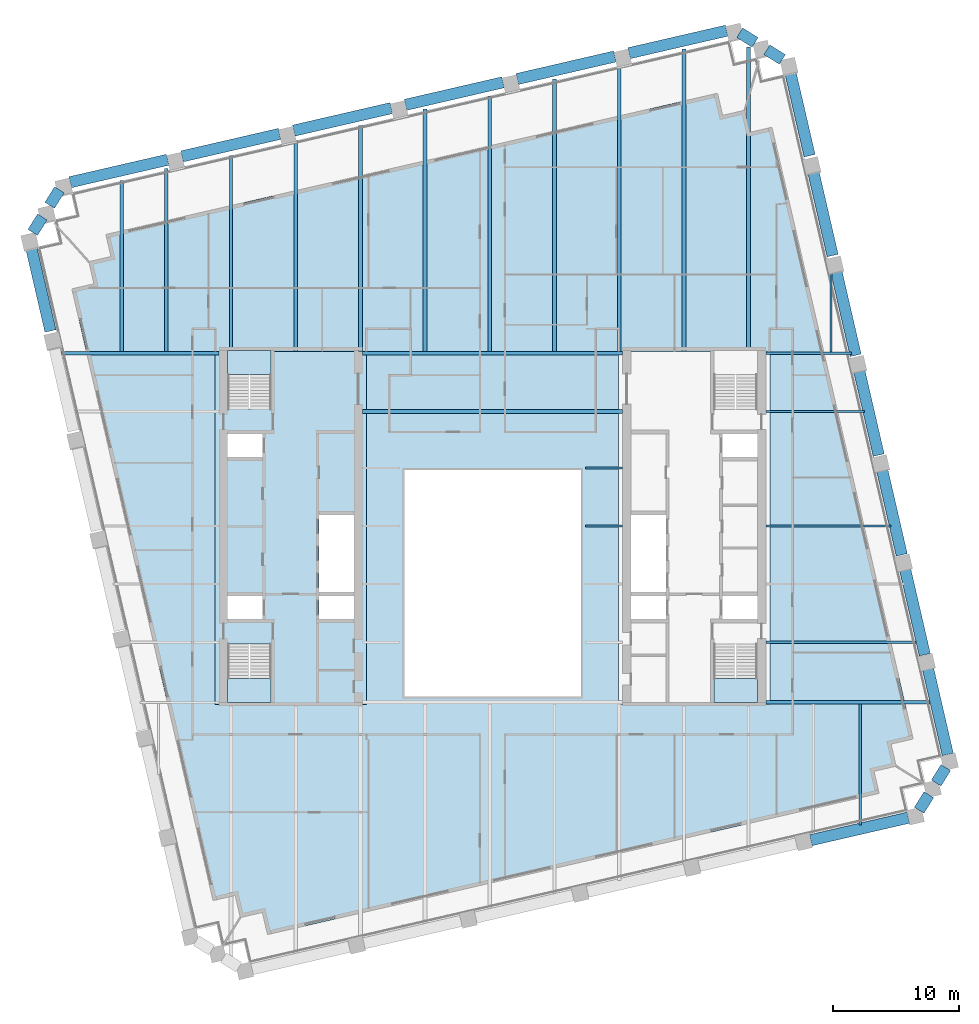
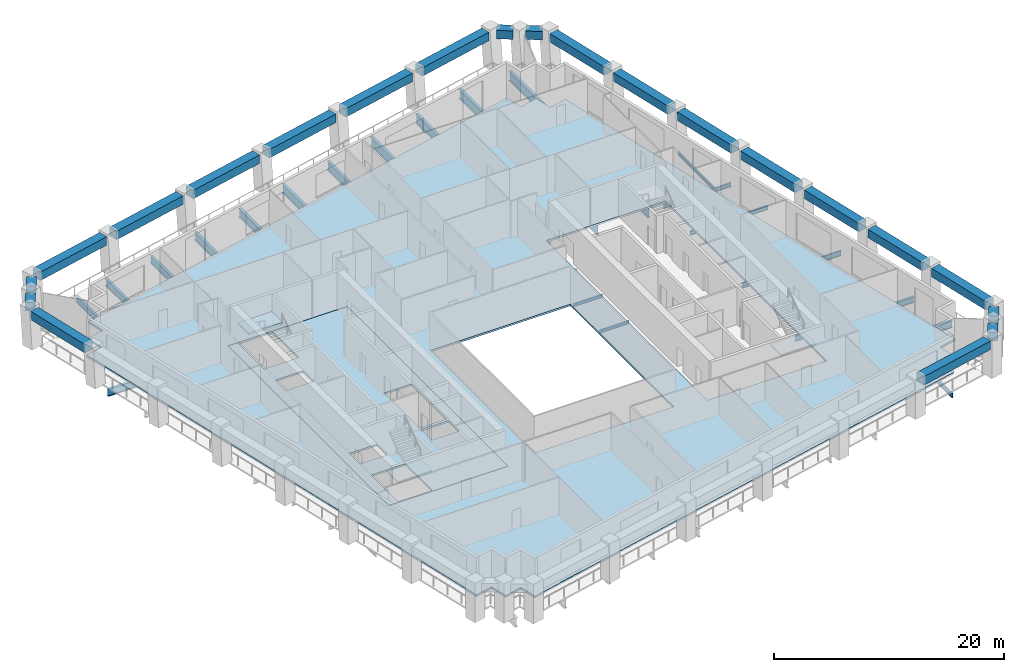
# One storey, part 2 of 10: 44 beams, 5 slabs, 3 elements without a shape of their own.
"""IFC4 building model written with IfcOpenShell, lengths in metres."""

from ifc_helpers import new_model, si_unit, direction, frame, origin, origin_2d, place, context, subcontext, project, spatial, polyline, rectangle, i_section, outline, extrude, material, layer, layer_set, material_profile, profile_set, type_object, element, aggregate, save


model = new_model("IFC4")

# Units and contexts
model_context = context("Model", 3, precision=1e-05, world=origin(), true_north=direction((0.0, 1.0)))
body_context = subcontext(model_context, "Body", "Model", "MODEL_VIEW")
ifc_project = project(units=[si_unit("LENGTHUNIT", "METRE"), si_unit("AREAUNIT", "SQUARE_METRE"), si_unit("VOLUMEUNIT", "CUBIC_METRE"), si_unit("PLANEANGLEUNIT", "RADIAN"), si_unit("MASSUNIT", "GRAM", prefix="KILO")], contexts=[model_context])

# Site, building, storey
site_placement = place(None, origin())
site = spatial("IfcSite", under=ifc_project, at=site_placement, CompositionType="ELEMENT")
building_placement = place(site_placement, origin())
building = spatial("IfcBuilding", under=site, at=building_placement, Name="Ogive Exchange Tower", CompositionType="ELEMENT")
storey_placement = place(building_placement, frame((0.0, 0.0, 188.39990234375)))
storey = spatial("IfcBuildingStorey", under=building, at=storey_placement, Name="L41", CompositionType="ELEMENT", Elevation=188.39990234375)

# Beams
ifc_material_1 = material(Name="Steel ASTM A992 Gr50", Category="steel")
ifc_material_profile_1 = material_profile(ifc_material_1, i_section(OverallWidth=0.300048828125, OverallDepth=0.969970703125, WebThickness=0.01611328125, FlangeThickness=0.02099609375, at=origin_2d()), Name="W1000x222")
ifc_profile_set_1 = profile_set([ifc_material_profile_1], Name="Steel ASTM A992 Gr50")
beam_type_1 = type_object("IfcBeamType", Name="Floor beam W1000x222", PredefinedType="JOIST", material=ifc_profile_set_1)
beam_1_placement = place(storey_placement, frame((-0.215576171875, 25.39501953125, -0.684814453125), z_axis=(0.0, 1.0, 0.0), x_axis=(-1.0, 0.0, 0.0)))
element("IfcBeam", 1, at=beam_1_placement, inside=storey, type_object=beam_type_1, Name="Floor beam", PredefinedType="JOIST", context=body_context, shape_type="SweptSolid", body=[
    extrude(i_section(OverallWidth=0.300048828125, OverallDepth=0.969970703125, WebThickness=0.01611328125, FlangeThickness=0.02099609375, at=origin_2d()), origin(), (0.0, 0.0, 1.0), 20.2724609375),
])
ifc_material_profile_2 = material_profile(ifc_material_1, i_section(OverallWidth=0.300048828125, OverallDepth=0.97998046875, WebThickness=0.0166015625, FlangeThickness=0.026123046875, at=origin_2d()), Name="W1000x249")
ifc_profile_set_2 = profile_set([ifc_material_profile_2], Name="Steel ASTM A992 Gr50")
beam_type_2 = type_object("IfcBeamType", Name="Floor beam W1000x249", PredefinedType="JOIST", material=ifc_profile_set_2)
beam_2_placement = place(storey_placement, frame((-10.320068359375, 20.62255859375, -0.68994140625), z_axis=(1.0, 0.0, 0.0), x_axis=(0.0, 1.0, 0.0)))
element("IfcBeam", 2, at=beam_2_placement, inside=storey, type_object=beam_type_2, Name="Floor beam", PredefinedType="JOIST", context=body_context, shape_type="SweptSolid", body=[
    extrude(i_section(OverallWidth=0.300048828125, OverallDepth=0.97998046875, WebThickness=0.0166015625, FlangeThickness=0.026123046875, at=origin_2d()), origin(), (0.0, 0.0, 1.0), 20.64013671875),
])
beam_3_placement = place(storey_placement, frame((4.91650390625, 25.39501953125, -0.68994140625), z_axis=(0.0, 1.0, 0.0), x_axis=(-1.0, 0.0, 0.0)))
element("IfcBeam", 3, at=beam_3_placement, inside=storey, type_object=beam_type_2, Name="Floor beam", PredefinedType="JOIST", context=body_context, shape_type="SweptSolid", body=[
    extrude(i_section(OverallWidth=0.300048828125, OverallDepth=0.97998046875, WebThickness=0.0166015625, FlangeThickness=0.026123046875, at=origin_2d()), origin(), (0.0, 0.0, 1.0), 21.607421875),
])
beam_4_placement = place(storey_placement, frame((10.048828125, 25.39501953125, -0.68994140625), z_axis=(0.0, 1.0, 0.0), x_axis=(-1.0, 0.0, 0.0)))
element("IfcBeam", 4, at=beam_4_placement, inside=storey, type_object=beam_type_2, Name="Floor beam", PredefinedType="JOIST", context=body_context, shape_type="SweptSolid", body=[
    extrude(i_section(OverallWidth=0.300048828125, OverallDepth=0.97998046875, WebThickness=0.0166015625, FlangeThickness=0.026123046875, at=origin_2d()), origin(), (0.0, 0.0, 1.0), 22.642333984375),
])
beam_5_placement = place(storey_placement, frame((15.180908203125, 25.39990234375, -0.68994140625), z_axis=(0.0, 1.0, 0.0), x_axis=(-1.0, 0.0, 0.0)))
element("IfcBeam", 5, at=beam_5_placement, inside=storey, type_object=beam_type_2, Name="Floor beam", PredefinedType="JOIST", context=body_context, shape_type="SweptSolid", body=[
    extrude(i_section(OverallWidth=0.300048828125, OverallDepth=0.97998046875, WebThickness=0.0166015625, FlangeThickness=0.026123046875, at=origin_2d()), origin(), (0.0, 0.0, 1.0), 23.97216796875),
])
beam_6_placement = place(storey_placement, frame((20.31298828125, 25.39990234375, -0.68994140625), z_axis=(0.0, 1.0, 0.0), x_axis=(-1.0, 0.0, 0.0)))
element("IfcBeam", 6, at=beam_6_placement, inside=storey, type_object=beam_type_2, Name="Floor beam", PredefinedType="JOIST", context=body_context, shape_type="SweptSolid", body=[
    extrude(i_section(OverallWidth=0.300048828125, OverallDepth=0.97998046875, WebThickness=0.0166015625, FlangeThickness=0.026123046875, at=origin_2d()), origin(), (0.0, 0.0, 1.0), 24.1513671875),
])
ifc_material_profile_3 = material_profile(ifc_material_1, i_section(OverallWidth=0.1650390625, OverallDepth=0.31005859375, WebThickness=0.005859375, FlangeThickness=0.009765625, at=origin_2d()), Name="W310x38.7")
ifc_profile_set_3 = profile_set([ifc_material_profile_3], Name="Steel ASTM A992 Gr50")
beam_type_3 = type_object("IfcBeamType", Name="Floor beam W310x38.7", PredefinedType="JOIST", material=ifc_profile_set_3)
beam_7_placement = place(storey_placement, frame((7.3701171875, 11.543701171875, -0.35498046875), z_axis=(1.0, 0.0, 0.0), x_axis=(0.0, 1.0, 0.0)))
element("IfcBeam", 7, at=beam_7_placement, inside=storey, type_object=beam_type_3, Name="Floor beam", PredefinedType="JOIST", context=body_context, shape_type="SweptSolid", body=[
    extrude(i_section(OverallWidth=0.1650390625, OverallDepth=0.31005859375, WebThickness=0.005859375, FlangeThickness=0.009765625, at=origin_2d()), origin(), (0.0, 0.0, 1.0), 2.949951171875),
])
beam_8_placement = place(storey_placement, frame((26.84521484375, 25.333984375, -0.35498046875), z_axis=(0.0, 1.0, 0.0), x_axis=(-1.0, 0.0, 0.0)))
element("IfcBeam", 8, at=beam_8_placement, inside=storey, type_object=beam_type_3, Name="Floor beam", PredefinedType="JOIST", context=body_context, shape_type="SweptSolid", body=[
    extrude(i_section(OverallWidth=0.1650390625, OverallDepth=0.31005859375, WebThickness=0.005859375, FlangeThickness=0.009765625, at=origin_2d()), origin(), (0.0, 0.0, 1.0), 6.24951171875),
])
ifc_material_profile_4 = material_profile(ifc_material_1, i_section(OverallWidth=0.177978515625, OverallDepth=0.406005859375, WebThickness=0.0078125, FlangeThickness=0.0126953125, at=origin_2d()), Name="W410x60")
ifc_profile_set_4 = profile_set([ifc_material_profile_4], Name="Steel ASTM A992 Gr50")
beam_type_4 = type_object("IfcBeamType", Name="Floor beam W410x60", PredefinedType="JOIST", material=ifc_profile_set_4)
beam_9_placement = place(storey_placement, frame((21.679931640625, 20.62255859375, -0.40283203125), z_axis=(1.0, 0.0, 0.0), x_axis=(0.0, 1.0, 0.0)))
element("IfcBeam", 9, at=beam_9_placement, inside=storey, type_object=beam_type_4, Name="Floor beam", PredefinedType="JOIST", context=body_context, shape_type="SweptSolid", body=[
    extrude(i_section(OverallWidth=0.177978515625, OverallDepth=0.406005859375, WebThickness=0.0078125, FlangeThickness=0.0126953125, at=origin_2d()), origin(), (0.0, 0.0, 1.0), 7.845703125),
])
ifc_material_profile_5 = material_profile(ifc_material_1, i_section(OverallWidth=0.19091796875, OverallDepth=0.45703125, WebThickness=0.009033203125, FlangeThickness=0.014404296875, at=origin_2d()), Name="W460x74")
ifc_profile_set_5 = profile_set([ifc_material_profile_5], Name="Steel ASTM A992 Gr50")
beam_type_5 = type_object("IfcBeamType", Name="Floor beam W460x74", PredefinedType="JOIST", material=ifc_profile_set_5)
beam_10_placement = place(storey_placement, frame((29.177490234375, -12.164794921875, -0.428466796875), z_axis=(0.0, 1.0, 0.0), x_axis=(-1.0, 0.0, 0.0)))
element("IfcBeam", 10, at=beam_10_placement, inside=storey, type_object=beam_type_5, Name="Floor beam", PredefinedType="JOIST", context=body_context, shape_type="SweptSolid", body=[
    extrude(i_section(OverallWidth=0.19091796875, OverallDepth=0.45703125, WebThickness=0.009033203125, FlangeThickness=0.014404296875, at=origin_2d()), origin(), (0.0, 0.0, 1.0), 9.586181640625),
])
ifc_material_profile_6 = material_profile(ifc_material_1, i_section(OverallWidth=0.1669921875, OverallDepth=0.535888671875, WebThickness=0.01025390625, FlangeThickness=0.0166015625, at=origin_2d()), Name="W530x85")
ifc_profile_set_6 = profile_set([ifc_material_profile_6], Name="Steel ASTM A992 Gr50")
beam_type_6 = type_object("IfcBeamType", Name="Floor beam W530x85", PredefinedType="JOIST", material=ifc_profile_set_6)
beam_11_placement = place(storey_placement, frame((21.679931640625, 11.543701171875, -0.468017578125), z_axis=(1.0, 0.0, 0.0), x_axis=(0.0, 1.0, 0.0)))
element("IfcBeam", 11, at=beam_11_placement, inside=storey, type_object=beam_type_6, Name="Floor beam", PredefinedType="JOIST", context=body_context, shape_type="SweptSolid", body=[
    extrude(i_section(OverallWidth=0.1669921875, OverallDepth=0.535888671875, WebThickness=0.01025390625, FlangeThickness=0.0166015625, at=origin_2d()), origin(), (0.0, 0.0, 1.0), 9.941650390625),
])
ifc_material_profile_7 = material_profile(ifc_material_1, i_section(OverallWidth=0.22802734375, OverallDepth=0.60205078125, WebThickness=0.010498046875, FlangeThickness=0.014892578125, at=origin_2d()), Name="W610x101")
ifc_profile_set_7 = profile_set([ifc_material_profile_7], Name="Steel ASTM A992 Gr50")
beam_type_7 = type_object("IfcBeamType", Name="Floor beam W610x101", PredefinedType="JOIST", material=ifc_profile_set_7)
beam_12_placement = place(storey_placement, frame((21.679931640625, 2.3212890625, -0.5009765625), z_axis=(1.0, 0.0, 0.0), x_axis=(0.0, 1.0, 0.0)))
element("IfcBeam", 12, at=beam_12_placement, inside=storey, type_object=beam_type_7, Name="Floor beam", PredefinedType="JOIST", context=body_context, shape_type="SweptSolid", body=[
    extrude(i_section(OverallWidth=0.22802734375, OverallDepth=0.60205078125, WebThickness=0.010498046875, FlangeThickness=0.014892578125, at=origin_2d()), origin(), (0.0, 0.0, 1.0), 11.9208984375),
])
ifc_material_profile_8 = material_profile(ifc_material_1, i_section(OverallWidth=0.25390625, OverallDepth=0.677978515625, WebThickness=0.01171875, FlangeThickness=0.016357421875, at=origin_2d()), Name="W690x125")
ifc_profile_set_8 = profile_set([ifc_material_profile_8], Name="Steel ASTM A992 Gr50")
beam_type_8 = type_object("IfcBeamType", Name="Floor beam W690x125", PredefinedType="JOIST", material=ifc_profile_set_8)
beam_13_placement = place(storey_placement, frame((-29.408447265625, 25.37841796875, -0.538818359375), z_axis=(0.0, 1.0, 0.0), x_axis=(-1.0, 0.0, 0.0)))
element("IfcBeam", 13, at=beam_13_placement, inside=storey, type_object=beam_type_8, Name="Floor beam", PredefinedType="JOIST", context=body_context, shape_type="SweptSolid", body=[
    extrude(i_section(OverallWidth=0.25390625, OverallDepth=0.677978515625, WebThickness=0.01171875, FlangeThickness=0.016357421875, at=origin_2d()), origin(), (0.0, 0.0, 1.0), 13.549560546875),
])
ifc_material_profile_9 = material_profile(ifc_material_1, i_section(OverallWidth=0.26708984375, OverallDepth=0.75390625, WebThickness=0.01318359375, FlangeThickness=0.01708984375, at=origin_2d()), Name="W760x147")
ifc_profile_set_9 = profile_set([ifc_material_profile_9], Name="Steel ASTM A992 Gr50")
beam_type_9 = type_object("IfcBeamType", Name="Floor beam W760x147", PredefinedType="JOIST", material=ifc_profile_set_9)
beam_14_placement = place(storey_placement, frame((-25.876220703125, 25.37841796875, -0.576904296875), z_axis=(0.0, 1.0, 0.0), x_axis=(-1.0, 0.0, 0.0)))
element("IfcBeam", 14, at=beam_14_placement, inside=storey, type_object=beam_type_9, Name="Floor beam", PredefinedType="JOIST", context=body_context, shape_type="SweptSolid", body=[
    extrude(i_section(OverallWidth=0.26708984375, OverallDepth=0.75390625, WebThickness=0.01318359375, FlangeThickness=0.01708984375, at=origin_2d()), origin(), (0.0, 0.0, 1.0), 14.514892578125),
])
beam_15_placement = place(storey_placement, frame((-20.744140625, 25.39990234375, -0.576904296875), z_axis=(0.0, 1.0, 0.0), x_axis=(-1.0, 0.0, 0.0)))
element("IfcBeam", 15, at=beam_15_placement, inside=storey, type_object=beam_type_9, Name="Floor beam", PredefinedType="JOIST", context=body_context, shape_type="SweptSolid", body=[
    extrude(i_section(OverallWidth=0.26708984375, OverallDepth=0.75390625, WebThickness=0.01318359375, FlangeThickness=0.01708984375, at=origin_2d()), origin(), (0.0, 0.0, 1.0), 15.5283203125),
])
ifc_material_profile_10 = material_profile(ifc_material_1, i_section(OverallWidth=0.2919921875, OverallDepth=0.8359375, WebThickness=0.013916015625, FlangeThickness=0.018798828125, at=origin_2d()), Name="W840x176")
ifc_profile_set_10 = profile_set([ifc_material_profile_10], Name="Steel ASTM A992 Gr50")
beam_type_10 = type_object("IfcBeamType", Name="Floor beam W840x176", PredefinedType="JOIST", material=ifc_profile_set_10)
beam_16_placement = place(storey_placement, frame((-15.61181640625, 25.39990234375, -0.617919921875), z_axis=(0.0, 1.0, 0.0), x_axis=(-1.0, 0.0, 0.0)))
element("IfcBeam", 16, at=beam_16_placement, inside=storey, type_object=beam_type_10, Name="Floor beam", PredefinedType="JOIST", context=body_context, shape_type="SweptSolid", body=[
    extrude(i_section(OverallWidth=0.2919921875, OverallDepth=0.8359375, WebThickness=0.013916015625, FlangeThickness=0.018798828125, at=origin_2d()), origin(), (0.0, 0.0, 1.0), 16.713134765625),
])
ifc_material_profile_11 = material_profile(ifc_material_1, i_section(OverallWidth=0.304931640625, OverallDepth=0.904052734375, WebThickness=0.01513671875, FlangeThickness=0.02001953125, at=origin_2d()), Name="W920x201")
ifc_profile_set_11 = profile_set([ifc_material_profile_11], Name="Steel ASTM A992 Gr50")
beam_type_11 = type_object("IfcBeamType", Name="Floor beam W920x201", PredefinedType="JOIST", material=ifc_profile_set_11)
beam_17_placement = place(storey_placement, frame((-10.479736328125, 25.39990234375, -0.65185546875), z_axis=(0.0, 1.0, 0.0), x_axis=(-1.0, 0.0, 0.0)))
element("IfcBeam", 17, at=beam_17_placement, inside=storey, type_object=beam_type_11, Name="Floor beam", PredefinedType="JOIST", context=body_context, shape_type="SweptSolid", body=[
    extrude(i_section(OverallWidth=0.304931640625, OverallDepth=0.904052734375, WebThickness=0.01513671875, FlangeThickness=0.02001953125, at=origin_2d()), origin(), (0.0, 0.0, 1.0), 17.89794921875),
])
ifc_material_profile_12 = material_profile(ifc_material_1, i_section(OverallWidth=0.304931640625, OverallDepth=0.9189453125, WebThickness=0.017333984375, FlangeThickness=0.02783203125, at=origin_2d()), Name="W920x253")
ifc_profile_set_12 = profile_set([ifc_material_profile_12], Name="Steel ASTM A992 Gr50")
beam_type_12 = type_object("IfcBeamType", Name="Floor beam W920x253", PredefinedType="JOIST", material=ifc_profile_set_12)
beam_18_placement = place(storey_placement, frame((-5.34765625, 25.39501953125, -0.659423828125), z_axis=(0.0, 1.0, 0.0), x_axis=(-1.0, 0.0, 0.0)))
element("IfcBeam", 18, at=beam_18_placement, inside=storey, type_object=beam_type_12, Name="Floor beam", PredefinedType="JOIST", context=body_context, shape_type="SweptSolid", body=[
    extrude(i_section(OverallWidth=0.304931640625, OverallDepth=0.9189453125, WebThickness=0.017333984375, FlangeThickness=0.02783203125, at=origin_2d()), origin(), (0.0, 0.0, 1.0), 19.23779296875),
])
ifc_material_profile_13 = material_profile(ifc_material_1, i_section(OverallWidth=0.300048828125, OverallDepth=0.97998046875, WebThickness=0.0166015625, FlangeThickness=0.026123046875, at=origin_2d()), Name="W1000x249")
ifc_profile_set_13 = profile_set([ifc_material_profile_13], Name="Steel ASTM A992 Gr50")
beam_type_13 = type_object("IfcBeamType", Name="Girder W1000x249", PredefinedType="BEAM", material=ifc_profile_set_13)
beam_19_placement = place(storey_placement, frame((-10.320068359375, 25.2451171875, -0.68994140625), z_axis=(1.0, 0.0, 0.0), x_axis=(0.0, 1.0, 0.0)))
element("IfcBeam", 19, at=beam_19_placement, inside=storey, type_object=beam_type_13, Name="Header girder", PredefinedType="BEAM", context=body_context, shape_type="SweptSolid", body=[
    extrude(i_section(OverallWidth=0.300048828125, OverallDepth=0.97998046875, WebThickness=0.0166015625, FlangeThickness=0.026123046875, at=origin_2d()), origin(), (0.0, 0.0, 1.0), 20.64013671875),
])
ifc_material_profile_14 = material_profile(ifc_material_1, i_section(OverallWidth=0.1650390625, OverallDepth=0.31005859375, WebThickness=0.005859375, FlangeThickness=0.009765625, at=origin_2d()), Name="W310x38.7")
ifc_profile_set_14 = profile_set([ifc_material_profile_14], Name="Steel ASTM A992 Gr50")
beam_type_14 = type_object("IfcBeamType", Name="Girder W310x38.7", PredefinedType="BEAM", material=ifc_profile_set_14)
beam_20_placement = place(storey_placement, frame((7.3701171875, 16.155029296875, -0.35498046875), z_axis=(1.0, 0.0, 0.0), x_axis=(0.0, 1.0, 0.0)))
element("IfcBeam", 20, at=beam_20_placement, inside=storey, type_object=beam_type_14, Name="Trimmer girder", PredefinedType="BEAM", context=body_context, shape_type="SweptSolid", body=[
    extrude(i_section(OverallWidth=0.1650390625, OverallDepth=0.31005859375, WebThickness=0.005859375, FlangeThickness=0.009765625, at=origin_2d()), origin(), (0.0, 0.0, 1.0), 2.949951171875),
])
ifc_material_profile_15 = material_profile(ifc_material_1, i_section(OverallWidth=0.177978515625, OverallDepth=0.406005859375, WebThickness=0.0078125, FlangeThickness=0.0126953125, at=origin_2d()), Name="W410x60")
ifc_profile_set_15 = profile_set([ifc_material_profile_15], Name="Steel ASTM A992 Gr50")
beam_type_15 = type_object("IfcBeamType", Name="Girder W410x60", PredefinedType="BEAM", material=ifc_profile_set_15)
beam_21_placement = place(storey_placement, frame((21.679931640625, 25.2451171875, -0.40283203125), z_axis=(1.0, 0.0, 0.0), x_axis=(0.0, 1.0, 0.0)))
element("IfcBeam", 21, at=beam_21_placement, inside=storey, type_object=beam_type_15, Name="Header girder", PredefinedType="BEAM", context=body_context, shape_type="SweptSolid", body=[
    extrude(i_section(OverallWidth=0.177978515625, OverallDepth=0.406005859375, WebThickness=0.0078125, FlangeThickness=0.0126953125, at=origin_2d()), origin(), (0.0, 0.0, 1.0), 6.778564453125),
])
ifc_material_profile_16 = material_profile(ifc_material_1, i_section(OverallWidth=0.26708984375, OverallDepth=0.75390625, WebThickness=0.01318359375, FlangeThickness=0.01708984375, at=origin_2d()), Name="W760x147")
ifc_profile_set_16 = profile_set([ifc_material_profile_16], Name="Steel ASTM A992 Gr50")
beam_type_16 = type_object("IfcBeamType", Name="Girder W760x147", PredefinedType="BEAM", material=ifc_profile_set_16)
beam_22_placement = place(storey_placement, frame((21.679931640625, -2.445068359375, -0.576904296875), z_axis=(1.0, 0.0, 0.0), x_axis=(0.0, 1.0, 0.0)))
element("IfcBeam", 22, at=beam_22_placement, inside=storey, type_object=beam_type_16, Name="Header girder", PredefinedType="BEAM", context=body_context, shape_type="SweptSolid", body=[
    extrude(i_section(OverallWidth=0.26708984375, OverallDepth=0.75390625, WebThickness=0.01318359375, FlangeThickness=0.01708984375, at=origin_2d()), origin(), (0.0, 0.0, 1.0), 13.021484375),
])
beam_23_placement = place(storey_placement, frame((-34.193359375, 25.2451171875, -0.576904296875), z_axis=(1.0, 0.0, 0.0), x_axis=(0.0, 1.0, 0.0)))
element("IfcBeam", 23, at=beam_23_placement, inside=storey, type_object=beam_type_16, Name="Header girder", PredefinedType="BEAM", context=body_context, shape_type="SweptSolid", body=[
    extrude(i_section(OverallWidth=0.26708984375, OverallDepth=0.75390625, WebThickness=0.01318359375, FlangeThickness=0.01708984375, at=origin_2d()), origin(), (0.0, 0.0, 1.0), 12.513427734375),
])
ifc_material_2 = material(Name="Precast concrete C70/85 (limestone faced)", Category="masonry")
ifc_material_profile_17 = material_profile(ifc_material_2, rectangle(XDim=0.89990234375, YDim=0.89990234375, at=origin_2d()), Name="900 x 900")
ifc_profile_set_17 = profile_set([ifc_material_profile_17], Name="Precast concrete C70/85 (limestone faced)")
beam_type_17 = type_object("IfcBeamType", Name="Precast spandrel 900 x 900 C70/85", PredefinedType="SPANDREL", material=ifc_profile_set_17)
beam_24_placement = place(storey_placement, frame((25.249755859375, -13.383544921875, 3.5), z_axis=(0.974368388194, 0.224958316335, 0.0), x_axis=(-0.224958316335, 0.974368388194, 0.0)))
element("IfcBeam", 24, at=beam_24_placement, inside=storey, type_object=beam_type_17, Name="Spandrel 6", PredefinedType="SPANDREL", context=body_context, shape_type="SweptSolid", body=[
    extrude(rectangle(XDim=0.89990234375, YDim=0.89990234375, at=origin_2d()), origin(), (0.0, 0.0, 1.0), 7.93994140625),
])
for number, where, z_axis, x_axis, name in (
    (25, (33.842041015625, -11.001708984375, 3.5), (0.529877740036, 0.848074041941, 0.0), (-0.848074041941, 0.529877740036, 0.0), "Spandrel 7"),
    (26, (35.19091796875, -8.843017578125, 3.5), (0.529877740036, 0.848074041941, 0.0), (-0.848074041941, 0.529877740036, 0.0), "Spandrel 8"),
):
    element("IfcBeam", number, at=place(storey_placement, frame(where, z_axis=z_axis, x_axis=x_axis)), inside=storey, type_object=beam_type_17, Name=name, PredefinedType="SPANDREL", context=body_context, shape_type="SweptSolid", body=[
        extrude(rectangle(XDim=0.89990234375, YDim=0.89990234375, at=origin_2d()), origin(), (0.0, 0.0, 1.0), 1.448486328125),
    ])
for number, where, z_axis, x_axis, name in (
    (27, (36.11865234375, -6.584228515625, 3.5), (-0.224959358257, 0.974368147639, 0.0), (-0.974368147639, -0.224959358257, 0.0), "Spandrel 9"),
    (28, (34.291259765625, 1.331787109375, 3.5), (-0.224959358257, 0.974368147639, 0.0), (-0.974368147639, -0.224959358257, 0.0), "Spandrel 10"),
    (29, (32.463623046875, 9.24755859375, 3.5), (-0.224926075192, 0.97437583134, 0.0), (-0.97437583134, -0.224926075192, 0.0), "Spandrel 11"),
    (30, (30.635986328125, 17.16357421875, 3.5), (-0.224926075192, 0.97437583134, 0.0), (-0.97437583134, -0.224926075192, 0.0), "Spandrel 12"),
):
    element("IfcBeam", number, at=place(storey_placement, frame(where, z_axis=z_axis, x_axis=x_axis)), inside=storey, type_object=beam_type_17, Name=name, PredefinedType="SPANDREL", context=body_context, shape_type="SweptSolid", body=[
        extrude(rectangle(XDim=0.89990234375, YDim=0.89990234375, at=origin_2d()), origin(), (0.0, 0.0, 1.0), 6.964111328125),
    ])
beam_25_placement = place(storey_placement, frame((28.80859375, 25.07958984375, 3.5), z_axis=(-0.224967042722, 0.974366373439, 0.0), x_axis=(-0.974366373439, -0.224967042722, 0.0)))
element("IfcBeam", 31, at=beam_25_placement, inside=storey, type_object=beam_type_17, Name="Spandrel 13", PredefinedType="SPANDREL", context=body_context, shape_type="SweptSolid", body=[
    extrude(rectangle(XDim=0.89990234375, YDim=0.89990234375, at=origin_2d()), origin(), (0.0, 0.0, 1.0), 6.9638671875),
])
for number, where, z_axis, x_axis, name in (
    (32, (26.981201171875, 32.995361328125, 3.5), (-0.224959358257, 0.974368147639, 0.0), (-0.974368147639, -0.224959358257, 0.0), "Spandrel 14"),
    (33, (25.153564453125, 40.911376953125, 3.5), (-0.224959358257, 0.974368147639, 0.0), (-0.974368147639, -0.224959358257, 0.0), "Spandrel 15"),
):
    element("IfcBeam", number, at=place(storey_placement, frame(where, z_axis=z_axis, x_axis=x_axis)), inside=storey, type_object=beam_type_17, Name=name, PredefinedType="SPANDREL", context=body_context, shape_type="SweptSolid", body=[
        extrude(rectangle(XDim=0.89990234375, YDim=0.89990234375, at=origin_2d()), origin(), (0.0, 0.0, 1.0), 6.964111328125),
    ])
for number, where, z_axis, x_axis, name in (
    (34, (22.9912109375, 48.552734375, 3.5), (-0.848026711821, 0.529953484787, 0.0), (-0.529953484787, -0.848026711821, 0.0), "Spandrel 16"),
    (35, (20.83251953125, 49.901611328125, 3.5), (-0.848074041941, 0.529877740036, 0.0), (-0.529877740036, -0.848074041941, 0.0), "Spandrel 17"),
):
    element("IfcBeam", number, at=place(storey_placement, frame(where, z_axis=z_axis, x_axis=x_axis)), inside=storey, type_object=beam_type_17, Name=name, PredefinedType="SPANDREL", context=body_context, shape_type="SweptSolid", body=[
        extrude(rectangle(XDim=0.89990234375, YDim=0.89990234375, at=origin_2d()), origin(), (0.0, 0.0, 1.0), 1.448486328125),
    ])
beam_26_placement = place(storey_placement, frame((18.57373046875, 50.82958984375, 3.5), z_axis=(-0.974368388194, -0.224958316335, 0.0), x_axis=(0.224958316335, -0.974368388194, 0.0)))
element("IfcBeam", 36, at=beam_26_placement, inside=storey, type_object=beam_type_17, Name="Spandrel 18", PredefinedType="SPANDREL", context=body_context, shape_type="SweptSolid", body=[
    extrude(rectangle(XDim=0.89990234375, YDim=0.89990234375, at=origin_2d()), origin(), (0.0, 0.0, 1.0), 7.93994140625),
])
for number, where, z_axis, x_axis, name in (
    (37, (9.70703125, 48.782470703125, 3.5), (-0.974369944206, -0.224951576629, 0.0), (0.224951576629, -0.974369944206, 0.0), "Spandrel 19"),
    (38, (0.84033203125, 46.7353515625, 3.5), (-0.974369944206, -0.224951576629, 0.0), (0.224951576629, -0.974369944206, 0.0), "Spandrel 20"),
):
    element("IfcBeam", number, at=place(storey_placement, frame(where, z_axis=z_axis, x_axis=x_axis)), inside=storey, type_object=beam_type_17, Name=name, PredefinedType="SPANDREL", context=body_context, shape_type="SweptSolid", body=[
        extrude(rectangle(XDim=0.89990234375, YDim=0.89990234375, at=origin_2d()), origin(), (0.0, 0.0, 1.0), 7.940185546875),
    ])
beam_27_placement = place(storey_placement, frame((-8.026611328125, 44.688232421875, 3.5), z_axis=(-0.974368388194, -0.224958316335, 0.0), x_axis=(0.224958316335, -0.974368388194, 0.0)))
element("IfcBeam", 39, at=beam_27_placement, inside=storey, type_object=beam_type_17, Name="Spandrel 21", PredefinedType="SPANDREL", context=body_context, shape_type="SweptSolid", body=[
    extrude(rectangle(XDim=0.89990234375, YDim=0.89990234375, at=origin_2d()), origin(), (0.0, 0.0, 1.0), 7.93994140625),
])
for number, where, z_axis, x_axis, name in (
    (40, (-16.893310546875, 42.641357421875, 3.5), (-0.974369944206, -0.224951576629, 0.0), (0.224951576629, -0.974369944206, 0.0), "Spandrel 22"),
    (41, (-25.760009765625, 40.59423828125, 3.5), (-0.974369944206, -0.224951576629, 0.0), (0.224951576629, -0.974369944206, 0.0), "Spandrel 23"),
):
    element("IfcBeam", number, at=place(storey_placement, frame(where, z_axis=z_axis, x_axis=x_axis)), inside=storey, type_object=beam_type_17, Name=name, PredefinedType="SPANDREL", context=body_context, shape_type="SweptSolid", body=[
        extrude(rectangle(XDim=0.89990234375, YDim=0.89990234375, at=origin_2d()), origin(), (0.0, 0.0, 1.0), 7.940185546875),
    ])
beam_28_placement = place(storey_placement, frame((-34.352294921875, 38.21240234375, 3.5), z_axis=(-0.529998940003, -0.847998304005, 0.0), x_axis=(0.847998304005, -0.529998940003, 0.0)))
element("IfcBeam", 42, at=beam_28_placement, inside=storey, type_object=beam_type_17, Name="Spandrel 24", PredefinedType="SPANDREL", context=body_context, shape_type="SweptSolid", body=[
    extrude(rectangle(XDim=0.89990234375, YDim=0.89990234375, at=origin_2d()), origin(), (0.0, 0.0, 1.0), 1.44873046875),
])
beam_29_placement = place(storey_placement, frame((-35.701416015625, 36.0537109375, 3.5), z_axis=(-0.529877740036, -0.848074041941, 0.0), x_axis=(0.848074041941, -0.529877740036, 0.0)))
element("IfcBeam", 43, at=beam_29_placement, inside=storey, type_object=beam_type_17, Name="Spandrel 25", PredefinedType="SPANDREL", context=body_context, shape_type="SweptSolid", body=[
    extrude(rectangle(XDim=0.89990234375, YDim=0.89990234375, at=origin_2d()), origin(), (0.0, 0.0, 1.0), 1.448486328125),
])
beam_30_placement = place(storey_placement, frame((-36.629150390625, 33.794921875, 3.5), z_axis=(0.224959358257, -0.974368147639, 0.0), x_axis=(0.974368147639, 0.224959358257, 0.0)))
element("IfcBeam", 44, at=beam_30_placement, inside=storey, type_object=beam_type_17, Name="Spandrel 26", PredefinedType="SPANDREL", context=body_context, shape_type="SweptSolid", body=[
    extrude(rectangle(XDim=0.89990234375, YDim=0.89990234375, at=origin_2d()), origin(), (0.0, 0.0, 1.0), 6.964111328125),
])

# Slabs
ifc_material_3 = material(Name="Concrete C50/60", Category="concrete")
ifc_layer_1 = layer(ifc_material_3, 0.199951171875)
ifc_layer_set_1 = layer_set([ifc_layer_1], Name="Composite floor slab 200")
slab_type_1 = type_object("IfcSlabType", Name="Composite floor slab 200", PredefinedType="FLOOR", material=ifc_layer_set_1)
slab_1_placement = place(storey_placement, frame((0.0, 0.0, -0.199951171875)))
element("IfcSlab", 45, at=slab_1_placement, inside=storey, type_object=slab_type_1, Name="Composite floor slab", PredefinedType="FLOOR", context=body_context, shape_type="SweptSolid", body=[
    extrude(outline(polyline([(-18.255615234375, -19.116943359375), (-20.009521484375, -19.52197265625), (-20.414306640625, -17.76806640625), (-22.168212890625, -18.1728515625), (-33.370849609375, 30.3505859375), (-31.616943359375, 30.755615234375), (-32.02197265625, 32.509521484375), (-30.26806640625, 32.914306640625), (-30.6728515625, 34.668212890625), (17.8505859375, 45.870849609375), (18.255615234375, 44.116943359375), (20.009521484375, 44.52197265625), (20.414306640625, 42.76806640625), (22.168212890625, 43.1728515625), (33.370849609375, -5.3505859375), (31.616943359375, -5.755615234375), (32.02197265625, -7.509521484375), (30.26806640625, -7.914306640625), (30.6728515625, -9.668212890625), (-17.8505859375, -20.870849609375), (-18.255615234375, -19.116943359375)]), holes=[polyline([(7.0, -2.0), (7.0, 16.0), (-7.0, 16.0), (-7.0, -2.0), (7.0, -2.0)]), polyline([(-22.0, -2.60009765625), (-10.0, -2.60009765625), (-10.0, 25.39990234375), (-22.0, 25.39990234375), (-22.0, -2.60009765625)]), polyline([(10.0, -2.60009765625), (22.0, -2.60009765625), (22.0, 25.39990234375), (10.0, 25.39990234375), (10.0, -2.60009765625)])]), origin(), (0.0, 0.0, 1.0), 0.199951171875),
])
ifc_material_4 = material(Name="Concrete C70/85", Category="concrete")
ifc_layer_2 = layer(ifc_material_4, 0.199951171875)
ifc_layer_set_2 = layer_set([ifc_layer_2], Name="Core floor slab 200")
slab_type_2 = type_object("IfcSlabType", Name="Core floor slab 200", PredefinedType="FLOOR", material=ifc_layer_set_2)
slab_2_placement = place(storey_placement, frame((0.0, 0.0, -0.199951171875)))
element("IfcSlab", 46, at=slab_2_placement, inside=storey, type_object=slab_type_2, Name="Core floor slab", PredefinedType="FLOOR", context=body_context, shape_type="SweptSolid", body=[
    extrude(outline(polyline([(-10.0, 25.39990234375), (-10.0, -2.60009765625), (-22.0, -2.60009765625), (-22.0, 25.39990234375), (-21.0, 25.39990234375), (-21.0, 20.803955078125), (-17.550048828125, 20.803955078125), (-17.550048828125, 25.39990234375), (-10.0, 25.39990234375)]), holes=[polyline([(-17.550048828125, 2.196044921875), (-21.0, 2.196044921875), (-21.0, -2.449951171875), (-17.550048828125, -2.449951171875), (-17.550048828125, 2.196044921875)]), polyline([(-18.25, 5.992919921875), (-21.0, 5.992919921875), (-21.0, 4.14990234375), (-18.25, 4.14990234375), (-18.25, 5.992919921875)]), polyline([(-11.0, 5.992919921875), (-13.75, 5.992919921875), (-13.75, 4.14990234375), (-11.0, 4.14990234375), (-11.0, 5.992919921875)]), polyline([(-13.75, 12.42138671875), (-13.75, 6.29296875), (-11.0, 6.29296875), (-11.0, 12.42138671875), (-13.75, 12.42138671875)]), polyline([(-18.25, 18.85009765625), (-21.0, 18.85009765625), (-21.0, 17.007080078125), (-18.25, 17.007080078125), (-18.25, 18.85009765625)])]), origin(), (0.0, 0.0, 1.0), 0.199951171875),
])

# Stair, slab
ifc_material_5 = material(Name="Concrete C40/50", Category="concrete")
stair_type = type_object("IfcStairType", Name="Exit stair 1650 wide", PredefinedType="HALF_TURN_STAIR", material=ifc_material_5)
stair_1_placement = place(storey_placement, origin())
stair_1 = element("IfcStair", 47, at=stair_1_placement, inside=storey, type_object=stair_type, Name="L41 exit stair ST1", PredefinedType="HALF_TURN_STAIR")
ifc_layer_3 = layer(ifc_material_5, 0.199951171875)
ifc_layer_set_3 = layer_set([ifc_layer_3], Name="Stair landing 200 slab")
slab_type_3 = type_object("IfcSlabType", Name="Stair landing 200 slab", PredefinedType="LANDING", material=ifc_layer_set_3)
slab_3_placement = place(storey_placement, frame((0.0, 0.0, 1.900146484375)))
slab_3 = element("IfcSlab", 48, at=slab_3_placement, type_object=slab_type_3, Name="ST1 landing 1", PredefinedType="LANDING", context=body_context, shape_type="SweptSolid", body=[
    extrude(outline(polyline([(-21.0, -0.550048828125), (-21.0, -2.449951171875), (-17.550048828125, -2.449951171875), (-17.550048828125, -0.550048828125), (-21.0, -0.550048828125)])), origin(), (0.0, 0.0, 1.0), 0.199951171875),
])
aggregate(stair_1, [slab_3])

stair_2_placement = place(storey_placement, origin())
stair_2 = element("IfcStair", 49, at=stair_2_placement, inside=storey, type_object=stair_type, Name="L41 exit stair ST2", PredefinedType="HALF_TURN_STAIR")
slab_4_placement = place(storey_placement, frame((0.0, 0.0, 1.900146484375)))
slab_4 = element("IfcSlab", 50, at=slab_4_placement, type_object=slab_type_3, Name="ST2 landing 1", PredefinedType="LANDING", context=body_context, shape_type="SweptSolid", body=[
    extrude(outline(polyline([(-17.550048828125, 23.550048828125), (-17.550048828125, 25.449951171875), (-21.0, 25.449951171875), (-21.0, 23.550048828125), (-17.550048828125, 23.550048828125)])), origin(), (0.0, 0.0, 1.0), 0.199951171875),
])
aggregate(stair_2, [slab_4])

stair_3_placement = place(storey_placement, origin())
stair_3 = element("IfcStair", 51, at=stair_3_placement, inside=storey, type_object=stair_type, Name="L41 exit stair ST3", PredefinedType="HALF_TURN_STAIR")
slab_5_placement = place(storey_placement, frame((0.0, 0.0, 1.900146484375)))
slab_5 = element("IfcSlab", 52, at=slab_5_placement, type_object=slab_type_3, Name="ST3 landing 1", PredefinedType="LANDING", context=body_context, shape_type="SweptSolid", body=[
    extrude(outline(polyline([(17.550048828125, -0.550048828125), (17.550048828125, -2.449951171875), (21.0, -2.449951171875), (21.0, -0.550048828125), (17.550048828125, -0.550048828125)])), origin(), (0.0, 0.0, 1.0), 0.199951171875),
])
aggregate(stair_3, [slab_5])

save(model, "model.ifc")
